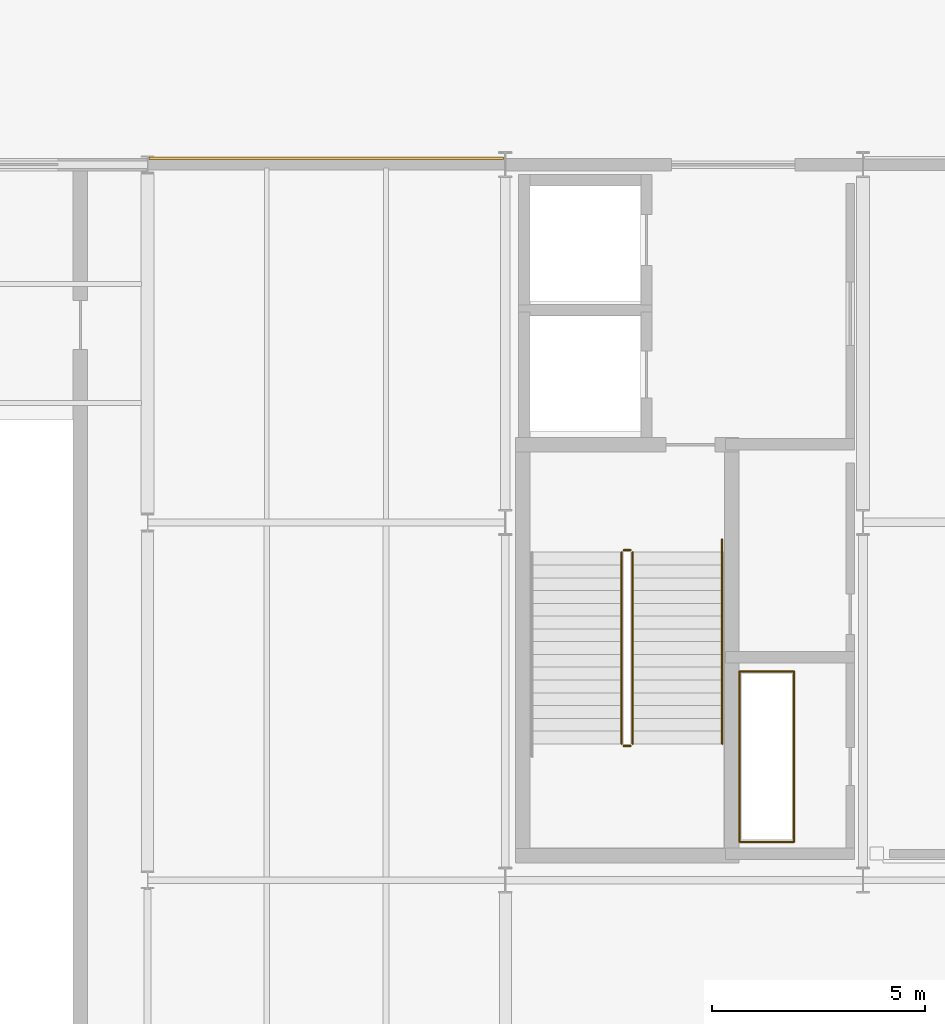
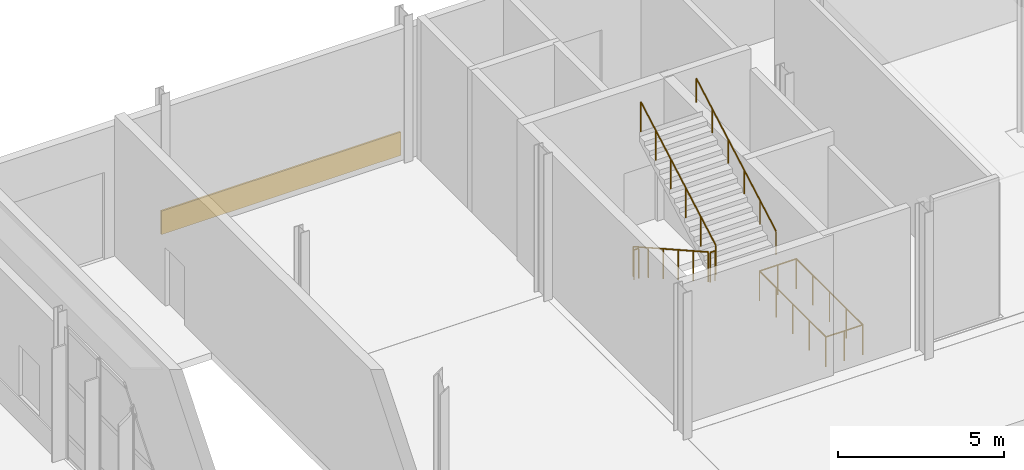
# One storey, part 111 of 124: 6 railings, 1 covering.
"""IFC4 building model written with IfcOpenShell, lengths in metres."""

from ifc_helpers import new_model, si_unit, direction, frame, origin, origin_2d, place, context, subcontext, project, spatial, rectangle, circle, extrude, material, layer, layer_set, type_object, element, save


model = new_model("IFC4")

# Units and contexts
model_context = context("Model", 3, precision=1e-05, world=origin(), true_north=direction((0.0, 1.0)))
body_context = subcontext(model_context, "Body", "Model", "MODEL_VIEW")
ifc_project = project(units=[si_unit("LENGTHUNIT", "METRE"), si_unit("AREAUNIT", "SQUARE_METRE"), si_unit("VOLUMEUNIT", "CUBIC_METRE"), si_unit("PLANEANGLEUNIT", "RADIAN"), si_unit("MASSUNIT", "GRAM", prefix="KILO")], contexts=[model_context])

# Site, building, storey
site_placement = place(None, origin())
site = spatial("IfcSite", under=ifc_project, at=site_placement, CompositionType="ELEMENT")
building_placement = place(site_placement, origin())
building = spatial("IfcBuilding", under=site, at=building_placement, Name="Mersafa Astral City Hall", CompositionType="ELEMENT")
storey_placement = place(building_placement, origin())
storey = spatial("IfcBuildingStorey", under=building, at=storey_placement, Name="L00", CompositionType="ELEMENT", Elevation=0.0)

# Covering
ifc_material_1 = material(Name="Cairo Mokattam buff limestone cladding", Category="masonry")
ifc_layer = layer(ifc_material_1, 0.06005859375, Name="Cairo Mokattam buff limestone cladding")
ifc_layer_set = layer_set([ifc_layer], Name="Cairo Mokattam buff limestone cladding — ENV-COV-LIMESTONE-60")
covering_type = type_object("IfcCoveringType", Name="ENV-COV-LIMESTONE-60", PredefinedType="CLADDING", material=ifc_layer_set)
covering_placement = place(storey_placement, frame((37.800048828125, 126.14697265625, 0.0), z_axis=(0.0, 0.0, 1.0), x_axis=(-1.0, 0.0, 0.0)))
element("IfcCovering", 1, at=covering_placement, inside=storey, type_object=covering_type, Name="L00 Cairo buff limestone rainscreen cladding 43", PredefinedType="CLADDING", context=body_context, shape_type="SweptSolid", body=[
    extrude(rectangle(XDim=8.323974609375, YDim=0.06005859375, at=origin_2d()), origin(), (0.0, 0.0, 1.0), 0.860107421875),
])

# Railings
ifc_material_2 = material(Name="Painted architectural steel stair guard balustrade", Category="steel")
railing_type_1 = type_object("IfcRailingType", Name="GUARD-RAIL", PredefinedType="BALUSTRADE", material=ifc_material_2)
railing_1_placement = place(storey_placement, frame((44.72998046875, 116.89990234375, 0.168701171875)))
element("IfcRailing", 2, at=railing_1_placement, inside=storey, type_object=railing_type_1, Name="L00 ST3 stair guard 1", PredefinedType="BALUSTRADE", context=body_context, shape_type="SweptSolid", body=[
    extrude(circle(Radius=0.02392578125, at=origin_2d()), frame((0.0, 0.0, 1.09619140625), z_axis=(0.0, -0.871575537125, 0.490261239633), x_axis=(1.0, 0.0, 0.0)), (0.0, 0.0, 1.0), 5.1630859375),
    extrude(circle(Radius=0.02099609375, at=origin_2d()), origin(), (0.0, 0.0, 1.0), 1.072021484375),
    extrude(circle(Radius=0.02099609375, at=origin_2d()), frame((0.0, -0.89990234375, 0.50634765625)), (0.0, 0.0, 1.0), 1.072021484375),
    extrude(circle(Radius=0.02099609375, at=origin_2d()), frame((0.0, -1.800048828125, 1.012451171875)), (0.0, 0.0, 1.0), 1.072021484375),
    extrude(circle(Radius=0.02099609375, at=origin_2d()), frame((0.0, -2.699951171875, 1.518798828125)), (0.0, 0.0, 1.0), 1.072021484375),
    extrude(circle(Radius=0.02099609375, at=origin_2d()), frame((0.0, -3.60009765625, 2.02490234375)), (0.0, 0.0, 1.0), 1.072021484375),
    extrude(circle(Radius=0.02099609375, at=origin_2d()), frame((0.0, -4.5, 2.53125)), (0.0, 0.0, 1.0), 1.072021484375),
])
railing_2_placement = place(storey_placement, frame((44.780029296875, 112.35009765625, 2.699951171875)))
element("IfcRailing", 3, at=railing_2_placement, inside=storey, type_object=railing_type_1, Name="L00 ST3 stair guard 2", PredefinedType="BALUSTRADE", context=body_context, shape_type="SweptSolid", body=[
    extrude(circle(Radius=0.02392578125, at=origin_2d()), frame((0.0, 0.0, 1.09619140625), z_axis=(1.0, 0.0, 0.0), x_axis=(0.0, 1.0, 0.0)), (0.0, 0.0, 1.0), 0.159912109375),
    extrude(circle(Radius=0.02099609375, at=origin_2d()), origin(), (0.0, 0.0, 1.0), 1.072021484375),
    extrude(circle(Radius=0.02099609375, at=origin_2d()), frame((0.159912109375, 0.0, 0.0)), (0.0, 0.0, 1.0), 1.072021484375),
])
railing_3_placement = place(storey_placement, frame((44.989990234375, 112.39990234375, 2.86865234375)))
element("IfcRailing", 4, at=railing_3_placement, inside=storey, type_object=railing_type_1, Name="L00 ST3 stair guard 3", PredefinedType="BALUSTRADE", context=body_context, shape_type="SweptSolid", body=[
    extrude(circle(Radius=0.02392578125, at=origin_2d()), frame((0.0, 0.0, 1.09619140625), z_axis=(0.0, 0.871575537125, 0.490261239633), x_axis=(-1.0, 0.0, 0.0)), (0.0, 0.0, 1.0), 5.1630859375),
    extrude(circle(Radius=0.02099609375, at=origin_2d()), origin(), (0.0, 0.0, 1.0), 1.072021484375),
    extrude(circle(Radius=0.02099609375, at=origin_2d()), frame((0.0, 0.89990234375, 0.50634765625)), (0.0, 0.0, 1.0), 1.072021484375),
    extrude(circle(Radius=0.02099609375, at=origin_2d()), frame((0.0, 1.800048828125, 1.012451171875)), (0.0, 0.0, 1.0), 1.072021484375),
    extrude(circle(Radius=0.02099609375, at=origin_2d()), frame((0.0, 2.699951171875, 1.518798828125)), (0.0, 0.0, 1.0), 1.072021484375),
    extrude(circle(Radius=0.02099609375, at=origin_2d()), frame((0.0, 3.60009765625, 2.02490234375)), (0.0, 0.0, 1.0), 1.072021484375),
    extrude(circle(Radius=0.02099609375, at=origin_2d()), frame((0.0, 4.5, 2.53125)), (0.0, 0.0, 1.0), 1.072021484375),
])
railing_4_placement = place(storey_placement, frame((44.780029296875, 116.949951171875, 0.0)))
element("IfcRailing", 5, at=railing_4_placement, inside=storey, type_object=railing_type_1, Name="L00 ST3 stair guard 4", PredefinedType="BALUSTRADE", context=body_context, shape_type="SweptSolid", body=[
    extrude(circle(Radius=0.02392578125, at=origin_2d()), frame((0.0, 0.0, 1.09619140625), z_axis=(1.0, 0.0, 0.0), x_axis=(0.0, 1.0, 0.0)), (0.0, 0.0, 1.0), 0.159912109375),
    extrude(circle(Radius=0.02099609375, at=origin_2d()), origin(), (0.0, 0.0, 1.0), 1.072021484375),
    extrude(circle(Radius=0.02099609375, at=origin_2d()), frame((0.159912109375, 0.0, 0.0)), (0.0, 0.0, 1.0), 1.072021484375),
])
railing_5_placement = place(storey_placement, frame((47.5, 110.10009765625, 0.0)))
element("IfcRailing", 6, at=railing_5_placement, inside=storey, type_object=railing_type_1, Name="L00 K3 MEP Riser Shaft Guard", PredefinedType="BALUSTRADE", context=body_context, shape_type="SweptSolid", body=[
    extrude(circle(Radius=0.02392578125, at=origin_2d()), frame((0.0, 0.0, 1.09619140625), z_axis=(1.0, 0.0, 0.0), x_axis=(0.0, 1.0, 0.0)), (0.0, 0.0, 1.0), 1.280029296875),
    extrude(circle(Radius=0.02392578125, at=origin_2d()), frame((1.280029296875, 0.0, 1.09619140625), z_axis=(0.0, 1.0, 0.0), x_axis=(-1.0, 0.0, 0.0)), (0.0, 0.0, 1.0), 4.0),
    extrude(circle(Radius=0.02392578125, at=origin_2d()), frame((1.280029296875, 4.0, 1.09619140625), z_axis=(-1.0, 0.0, 0.0), x_axis=(0.0, -1.0, 0.0)), (0.0, 0.0, 1.0), 1.280029296875),
    extrude(circle(Radius=0.02392578125, at=origin_2d()), frame((0.0, 4.0, 1.09619140625), z_axis=(0.0, -1.0, 0.0), x_axis=(1.0, 0.0, 0.0)), (0.0, 0.0, 1.0), 4.0),
    extrude(circle(Radius=0.02099609375, at=origin_2d()), origin(), (0.0, 0.0, 1.0), 1.072021484375),
    extrude(circle(Radius=0.02099609375, at=origin_2d()), frame((0.64013671875, 0.0, 0.0)), (0.0, 0.0, 1.0), 1.072021484375),
    extrude(circle(Radius=0.02099609375, at=origin_2d()), frame((1.280029296875, 0.0, 0.0)), (0.0, 0.0, 1.0), 1.072021484375),
    extrude(circle(Radius=0.02099609375, at=origin_2d()), frame((1.280029296875, 1.0, 0.0)), (0.0, 0.0, 1.0), 1.072021484375),
    extrude(circle(Radius=0.02099609375, at=origin_2d()), frame((1.280029296875, 2.0, 0.0)), (0.0, 0.0, 1.0), 1.072021484375),
    extrude(circle(Radius=0.02099609375, at=origin_2d()), frame((1.280029296875, 3.0, 0.0)), (0.0, 0.0, 1.0), 1.072021484375),
    extrude(circle(Radius=0.02099609375, at=origin_2d()), frame((1.280029296875, 4.0, 0.0)), (0.0, 0.0, 1.0), 1.072021484375),
    extrude(circle(Radius=0.02099609375, at=origin_2d()), frame((0.64013671875, 4.0, 0.0)), (0.0, 0.0, 1.0), 1.072021484375),
    extrude(circle(Radius=0.02099609375, at=origin_2d()), frame((0.0, 4.0, 0.0)), (0.0, 0.0, 1.0), 1.072021484375),
    extrude(circle(Radius=0.02099609375, at=origin_2d()), frame((0.0, 3.0, 0.0)), (0.0, 0.0, 1.0), 1.072021484375),
    extrude(circle(Radius=0.02099609375, at=origin_2d()), frame((0.0, 2.0, 0.0)), (0.0, 0.0, 1.0), 1.072021484375),
    extrude(circle(Radius=0.02099609375, at=origin_2d()), frame((0.0, 1.0, 0.0)), (0.0, 0.0, 1.0), 1.072021484375),
])
ifc_material_3 = material(Name="Brushed stainless steel tubular handrail", Category="steel")
railing_type_2 = type_object("IfcRailingType", Name="HANDRAIL", PredefinedType="HANDRAIL", material=ifc_material_3)
railing_6_placement = place(storey_placement, frame((47.090087890625, 112.39990234375, 2.86865234375)))
element("IfcRailing", 7, at=railing_6_placement, inside=storey, type_object=railing_type_2, Name="L00 ST3 stair handrail 2", PredefinedType="HANDRAIL", context=body_context, shape_type="SweptSolid", body=[
    extrude(circle(Radius=0.02392578125, at=origin_2d()), frame((0.0, 0.0, 0.8759765625), z_axis=(0.0, 0.871335168691, 0.49068831635), x_axis=(-1.0, 0.0, 0.0)), (0.0, 0.0, 1.0), 5.5087890625),
    extrude(circle(Radius=0.02099609375, at=origin_2d()), origin(), (0.0, 0.0, 1.0), 0.851806640625),
    extrude(circle(Radius=0.02099609375, at=origin_2d()), frame((0.0, 0.9599609375, 0.54052734375)), (0.0, 0.0, 1.0), 0.851806640625),
    extrude(circle(Radius=0.02099609375, at=origin_2d()), frame((0.0, 1.919921875, 1.081298828125)), (0.0, 0.0, 1.0), 0.851806640625),
    extrude(circle(Radius=0.02099609375, at=origin_2d()), frame((0.0, 2.880126953125, 1.621826171875)), (0.0, 0.0, 1.0), 0.851806640625),
    extrude(circle(Radius=0.02099609375, at=origin_2d()), frame((0.0, 3.840087890625, 2.16259765625)), (0.0, 0.0, 1.0), 0.851806640625),
    extrude(circle(Radius=0.02099609375, at=origin_2d()), frame((0.0, 4.800048828125, 2.703125)), (0.0, 0.0, 1.0), 0.851806640625),
])

save(model, "model.ifc")
